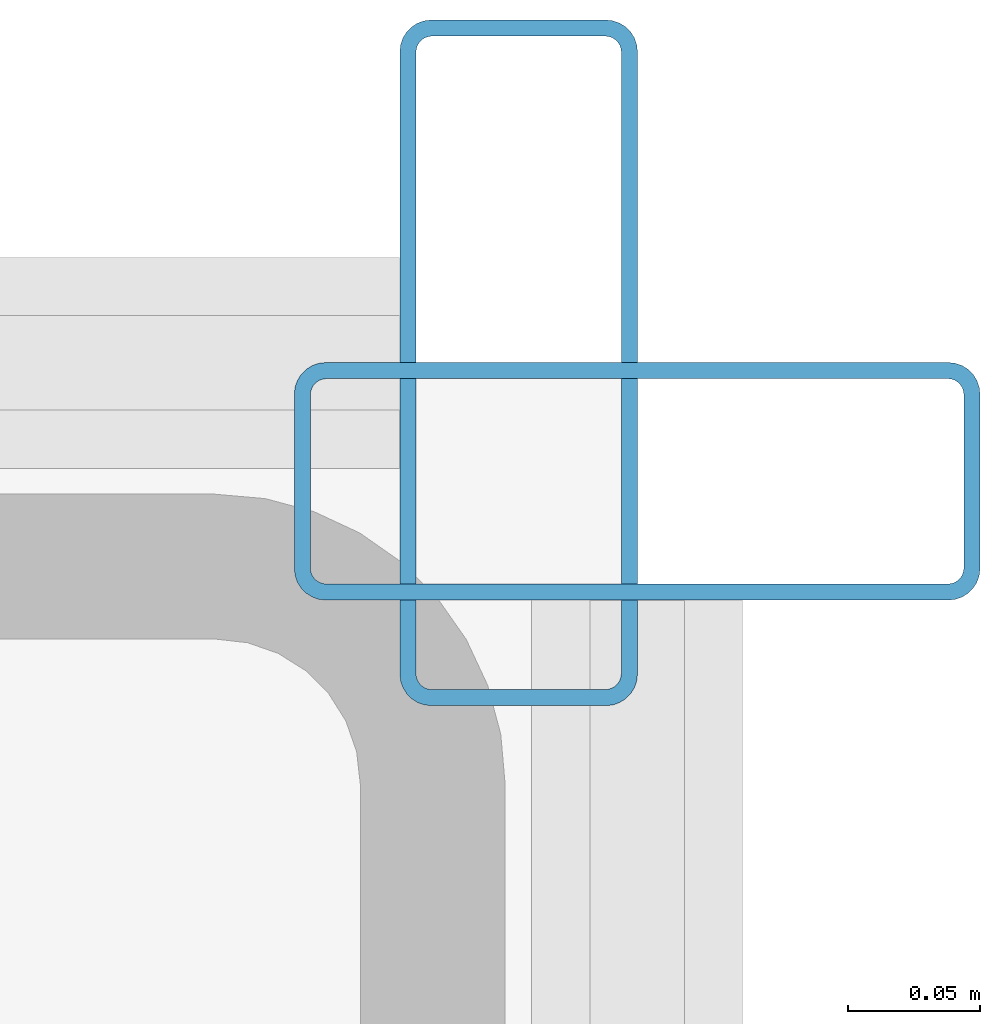
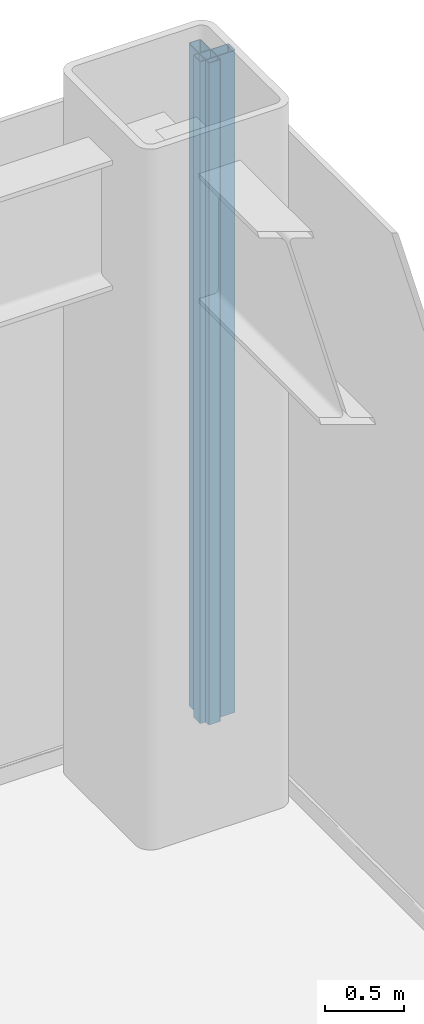
# One storey, part 15 of 24: 2 members, 2 elements without a shape of their own.
"""IFC4 building model written with IfcOpenShell, lengths in metres."""

from ifc_helpers import new_model, si_unit, direction, frame, origin, origin_2d, place, context, subcontext, project, spatial, hollow_rectangle, extrude, source, transform, mapped, material, layer, layer_set, material_profile, profile_set, type_object, element, aggregate, save


model = new_model("IFC4")

# Units and contexts
model_context = context("Model", 3, precision=1e-05, world=origin(), true_north=direction((0.0, 1.0)))
body_context = subcontext(model_context, "Body", "Model", "MODEL_VIEW")
ifc_project = project(units=[si_unit("LENGTHUNIT", "METRE"), si_unit("AREAUNIT", "SQUARE_METRE"), si_unit("VOLUMEUNIT", "CUBIC_METRE"), si_unit("PLANEANGLEUNIT", "RADIAN"), si_unit("MASSUNIT", "GRAM", prefix="KILO")], contexts=[model_context])

# Site, building, storey
site_placement = place(None, origin())
site = spatial("IfcSite", under=ifc_project, at=site_placement, CompositionType="ELEMENT")
building_placement = place(site_placement, origin())
building = spatial("IfcBuilding", under=site, at=building_placement, Name="Nefas-Gora Pilgrimage Tower", CompositionType="ELEMENT")
storey_placement = place(building_placement, frame((0.0, 0.0, 6.0)))
storey = spatial("IfcBuildingStorey", under=building, at=storey_placement, Name="L01", CompositionType="ELEMENT", Elevation=6.0)

# Curtain wall, member
ifc_material_1 = material(Name="Dark ceramic-fritted solar-control aluminium-glass curtain wall", Category="aluminium")
ifc_layer = layer(ifc_material_1, 0.219970703125)
ifc_layer_set = layer_set([ifc_layer], Name="Dark ceramic-fritted solar-control aluminium-glass curtain wall")
curtain_wall_type = type_object("IfcCurtainWallType", Name="CW-SYS-1", PredefinedType="NOTDEFINED", material=ifc_layer_set)
curtain_wall_1_placement = place(storey_placement, origin())
curtain_wall_1 = element("IfcCurtainWall", 1, at=curtain_wall_1_placement, inside=storey, type_object=curtain_wall_type, Name="L01 Unitised Curtain Wall CW1", PredefinedType="NOTDEFINED")
ifc_material_2 = material(Name="Anodised architectural aluminium", Category="aluminium")
ifc_material_profile = material_profile(ifc_material_2, hollow_rectangle(XDim=0.090087890625, YDim=0.260009765625, WallThickness=0.006103515625, InnerFilletRadius=0.006103515625, OuterFilletRadius=0.011962890625, at=origin_2d()), Name="ALU MULLION 90x260")
ifc_profile_set = profile_set([ifc_material_profile], Name="Anodised architectural aluminium")
member_type = type_object("IfcMemberType", Name="CWM-MUL-1", PredefinedType="MULLION", material=ifc_profile_set)
shared_shape = source(origin(), body_context, "Body", "SweptSolid", [
    extrude(hollow_rectangle(XDim=0.090087890625, YDim=0.260009765625, WallThickness=0.006103515625, InnerFilletRadius=0.006103515625, OuterFilletRadius=0.011962890625, at=origin_2d()), origin(), (0.0, 0.0, 1.0), 5.10009765625),
])
member_1_placement = place(storey_placement, frame((38.25, 25.155029296875, 0.0), z_axis=(0.0, 0.0, 1.0), x_axis=(0.0, 1.0, 0.0)))
member_1 = element("IfcMember", 2, at=member_1_placement, type_object=member_type, Name="CW1 Mullion 3", PredefinedType="MULLION", context=body_context, shape_type="MappedRepresentation", body=[
    mapped(shared_shape, transform((0.0, 0.0, 0.0), x_axis=(1.0, 0.0, 0.0), y_axis=(0.0, 1.0, 0.0), z_axis=(0.0, 0.0, 1.0), scale=1.0)),
])
aggregate(curtain_wall_1, [member_1])

curtain_wall_2_placement = place(storey_placement, origin())
curtain_wall_2 = element("IfcCurtainWall", 3, at=curtain_wall_2_placement, inside=storey, type_object=curtain_wall_type, Name="L01 Unitised Curtain Wall CW1", PredefinedType="NOTDEFINED")
member_2_placement = place(storey_placement, frame((38.205078125, 25.199951171875, 0.0), z_axis=(0.0, 0.0, 1.0), x_axis=(-1.0, 0.0, 0.0)))
member_2 = element("IfcMember", 4, at=member_2_placement, type_object=member_type, Name="CW1 Mullion 1", PredefinedType="MULLION", context=body_context, shape_type="MappedRepresentation", body=[
    mapped(shared_shape, transform((0.0, 0.0, 0.0), x_axis=(1.0, 0.0, 0.0), y_axis=(0.0, 1.0, 0.0), z_axis=(0.0, 0.0, 1.0), scale=1.0)),
])
aggregate(curtain_wall_2, [member_2])

save(model, "model.ifc")
